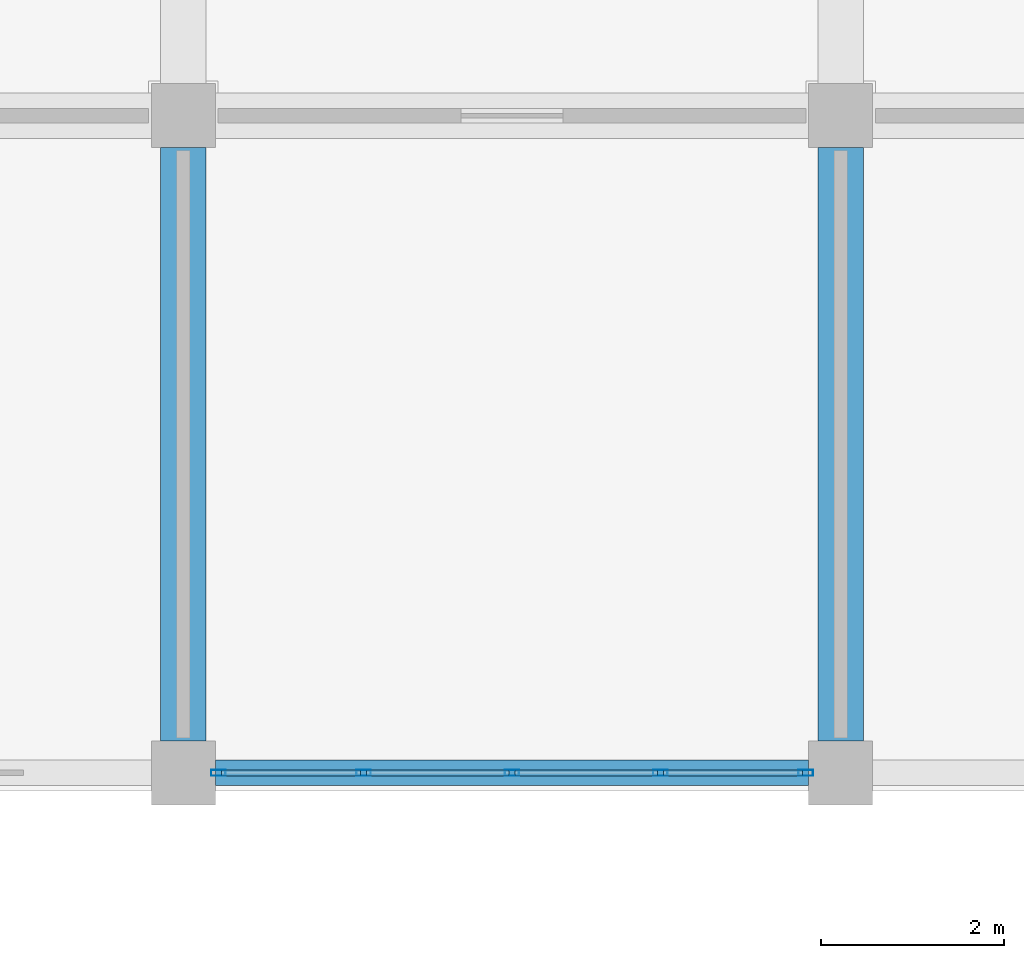
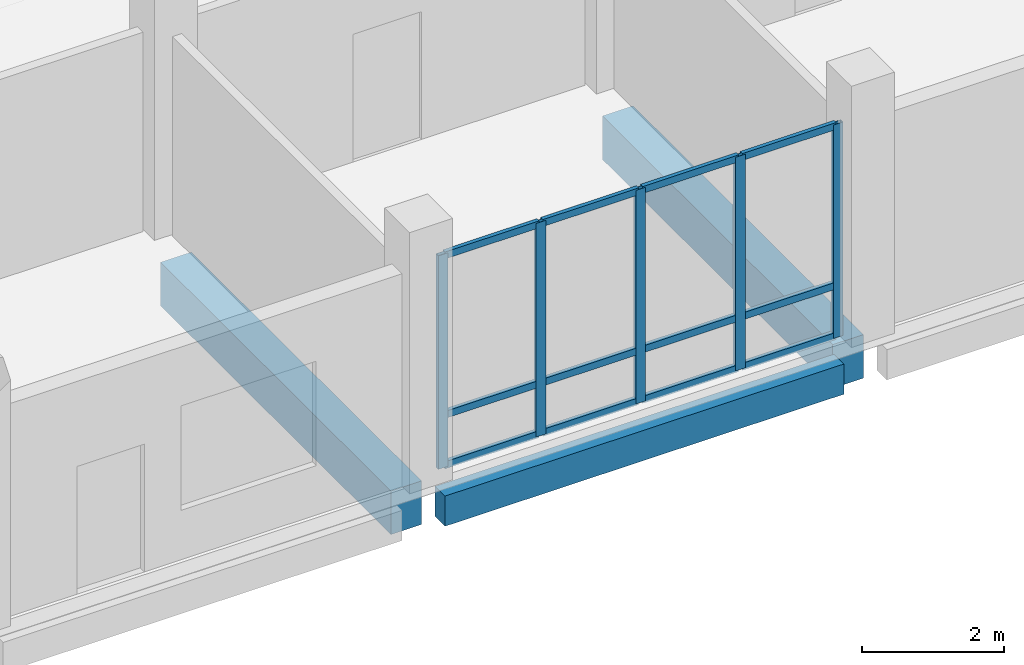
# One storey, part 19 of 139: 17 members, 3 beams, 1 element without a shape of its own.
"""IFC4 building model written with IfcOpenShell, lengths in metres."""

from ifc_helpers import new_model, si_unit, direction, frame, origin, origin_2d, place, context, subcontext, project, spatial, rectangle, hollow_rectangle, extrude, material, material_profile, profile_set, type_object, element, aggregate, save


model = new_model("IFC4")

# Units and contexts
model_context = context("Model", 3, precision=1e-05, world=origin(), true_north=direction((0.0, 1.0)))
body_context = subcontext(model_context, "Body", "Model", "MODEL_VIEW")
ifc_project = project(units=[si_unit("LENGTHUNIT", "METRE"), si_unit("AREAUNIT", "SQUARE_METRE"), si_unit("VOLUMEUNIT", "CUBIC_METRE"), si_unit("PLANEANGLEUNIT", "RADIAN"), si_unit("MASSUNIT", "GRAM", prefix="KILO")], contexts=[model_context])

# Site, building, storey
site_placement = place(None, origin())
site = spatial("IfcSite", under=ifc_project, at=site_placement, CompositionType="ELEMENT")
building_placement = place(site_placement, origin())
building = spatial("IfcBuilding", under=site, at=building_placement, Name="Suanplinth Sawtooth Commons", CompositionType="ELEMENT")
storey_placement = place(building_placement, origin())
storey = spatial("IfcBuildingStorey", under=building, at=storey_placement, Name="L00", CompositionType="ELEMENT", Elevation=0.0)

# Beams
ifc_material_1 = material(Name="Concrete C40/50", Category="concrete")
ifc_material_profile_1 = material_profile(ifc_material_1, rectangle(XDim=0.5, YDim=0.75, at=origin_2d()), Name="RC-GDR 500x750")
ifc_profile_set_1 = profile_set([ifc_material_profile_1], Name="Concrete C40/50")
beam_type_1 = type_object("IfcBeamType", Name="B-03", PredefinedType="USERDEFINED", material=ifc_profile_set_1)
for number, where, z_axis, x_axis, name in (
    (1, (7.199951171875, 0.35009765625, -0.784912109375), (0.0, 1.0, 0.0), (-1.0, 0.0, 0.0), "BMY-L00-D-1-0"),
    (2, (14.39990234375, 0.35009765625, -0.784912109375), (0.0, 1.0, 0.0), (-1.0, 0.0, 0.0), "BMY-L00-D-2-0"),
):
    element("IfcBeam", number, at=place(storey_placement, frame(where, z_axis=z_axis, x_axis=x_axis)), inside=storey, type_object=beam_type_1, Name=name, ObjectType="GIRDER", PredefinedType="USERDEFINED", context=body_context, shape_type="SweptSolid", body=[
        extrude(rectangle(XDim=0.5, YDim=0.75, at=origin_2d()), origin(), (0.0, 0.0, 1.0), 6.5),
    ])
ifc_material_2 = material(Name="Precast concrete C40/50", Category="concrete")
ifc_material_profile_2 = material_profile(ifc_material_2, rectangle(XDim=0.280029296875, YDim=0.52001953125, at=origin_2d()), Name="PC-SP 280x520")
ifc_profile_set_2 = profile_set([ifc_material_profile_2], Name="Precast concrete C40/50")
beam_type_2 = type_object("IfcBeamType", Name="B-08", PredefinedType="SPANDREL", material=ifc_profile_set_2)
beam_placement = place(storey_placement, frame((7.550048828125, 0.0, -0.669921875), z_axis=(1.0, 0.0, 0.0), x_axis=(0.0, 1.0, 0.0)))
element("IfcBeam", 3, at=beam_placement, inside=storey, type_object=beam_type_2, Name="BMX-L00-D-1-0", PredefinedType="SPANDREL", context=body_context, shape_type="SweptSolid", body=[
    extrude(rectangle(XDim=0.280029296875, YDim=0.52001953125, at=origin_2d()), origin(), (0.0, 0.0, 1.0), 6.5),
])

# Curtain wall, members
ifc_material_3 = material(Name="Anodized aluminium and low-E glazing", Category="aluminium")
curtain_wall_type = type_object("IfcCurtainWallType", Name="CW-04", PredefinedType="USERDEFINED", material=ifc_material_3)
curtain_wall_placement = place(storey_placement, origin())
curtain_wall = element("IfcCurtainWall", 4, at=curtain_wall_placement, inside=storey, type_object=curtain_wall_type, Name="Curtain Wall CW-L00-D-S-1", ObjectType="CURTAIN WALL", PredefinedType="USERDEFINED")
ifc_material_4 = material(Name="Anodized aluminium 6063-T6", Category="aluminium")
ifc_material_profile_3 = material_profile(ifc_material_4, hollow_rectangle(XDim=0.06494140625, YDim=0.159912109375, WallThickness=0.00390625, at=origin_2d()), Name="ALU-MUL 65x160")
ifc_profile_set_3 = profile_set([ifc_material_profile_3], Name="Anodized aluminium 6063-T6")
member_type_1 = type_object("IfcMemberType", Name="M-13", PredefinedType="MULLION", material=ifc_profile_set_3)
member_1_placement = place(storey_placement, frame((7.58251953125, 0.0, 0.0), z_axis=(0.0, 0.0, 1.0), x_axis=(0.0, 1.0, 0.0)))
member_1 = element("IfcMember", 5, at=member_1_placement, type_object=member_type_1, Name="CW-04 mullion 1", PredefinedType="MULLION", context=body_context, shape_type="SweptSolid", body=[
    extrude(hollow_rectangle(XDim=0.06494140625, YDim=0.159912109375, WallThickness=0.00390625, at=origin_2d()), origin(), (0.0, 0.0, 1.0), 3.679931640625),
])
member_2_placement = place(storey_placement, frame((9.175048828125, 0.0, 0.0), z_axis=(0.0, 0.0, 1.0), x_axis=(0.0, 1.0, 0.0)))
member_2 = element("IfcMember", 6, at=member_2_placement, type_object=member_type_1, Name="CW-04 mullion 2", PredefinedType="MULLION", context=body_context, shape_type="SweptSolid", body=[
    extrude(hollow_rectangle(XDim=0.06494140625, YDim=0.159912109375, WallThickness=0.00390625, at=origin_2d()), origin(), (0.0, 0.0, 1.0), 3.679931640625),
])
member_3_placement = place(storey_placement, frame((10.800048828125, 0.0, 0.0), z_axis=(0.0, 0.0, 1.0), x_axis=(0.0, 1.0, 0.0)))
member_3 = element("IfcMember", 7, at=member_3_placement, type_object=member_type_1, Name="CW-04 mullion 3", PredefinedType="MULLION", context=body_context, shape_type="SweptSolid", body=[
    extrude(hollow_rectangle(XDim=0.06494140625, YDim=0.159912109375, WallThickness=0.00390625, at=origin_2d()), origin(), (0.0, 0.0, 1.0), 3.679931640625),
])
member_4_placement = place(storey_placement, frame((12.425048828125, 0.0, 0.0), z_axis=(0.0, 0.0, 1.0), x_axis=(0.0, 1.0, 0.0)))
member_4 = element("IfcMember", 8, at=member_4_placement, type_object=member_type_1, Name="CW-04 mullion 4", PredefinedType="MULLION", context=body_context, shape_type="SweptSolid", body=[
    extrude(hollow_rectangle(XDim=0.06494140625, YDim=0.159912109375, WallThickness=0.00390625, at=origin_2d()), origin(), (0.0, 0.0, 1.0), 3.679931640625),
])
member_5_placement = place(storey_placement, frame((14.017578125, 0.0, 0.0), z_axis=(0.0, 0.0, 1.0), x_axis=(0.0, 1.0, 0.0)))
member_5 = element("IfcMember", 9, at=member_5_placement, type_object=member_type_1, Name="CW-04 mullion 5", PredefinedType="MULLION", context=body_context, shape_type="SweptSolid", body=[
    extrude(hollow_rectangle(XDim=0.06494140625, YDim=0.159912109375, WallThickness=0.00390625, at=origin_2d()), origin(), (0.0, 0.0, 1.0), 3.679931640625),
])
ifc_material_profile_4 = material_profile(ifc_material_4, hollow_rectangle(XDim=0.06494140625, YDim=0.1201171875, WallThickness=0.00390625, at=origin_2d()), Name="ALU-TRN 65x120")
ifc_profile_set_4 = profile_set([ifc_material_profile_4], Name="Anodized aluminium 6063-T6")
member_type_2 = type_object("IfcMemberType", Name="M-15", PredefinedType="USERDEFINED", material=ifc_profile_set_4)
member_6_placement = place(storey_placement, frame((7.614990234375, 0.0, 0.032470703125), z_axis=(1.0, 0.0, 0.0), x_axis=(0.0, 1.0, 0.0)))
member_6 = element("IfcMember", 10, at=member_6_placement, type_object=member_type_2, Name="CW-04 transom 1.1", ObjectType="TRANSOM", PredefinedType="USERDEFINED", context=body_context, shape_type="SweptSolid", body=[
    extrude(hollow_rectangle(XDim=0.06494140625, YDim=0.1201171875, WallThickness=0.00390625, at=origin_2d()), origin(), (0.0, 0.0, 1.0), 1.527587890625),
])
member_7_placement = place(storey_placement, frame((7.614990234375, 0.0, 0.89990234375), z_axis=(1.0, 0.0, 0.0), x_axis=(0.0, 1.0, 0.0)))
member_7 = element("IfcMember", 11, at=member_7_placement, type_object=member_type_2, Name="CW-04 transom 1.2", ObjectType="TRANSOM", PredefinedType="USERDEFINED", context=body_context, shape_type="SweptSolid", body=[
    extrude(hollow_rectangle(XDim=0.06494140625, YDim=0.1201171875, WallThickness=0.00390625, at=origin_2d()), origin(), (0.0, 0.0, 1.0), 1.527587890625),
])
member_8_placement = place(storey_placement, frame((7.614990234375, 0.0, 3.6474609375), z_axis=(1.0, 0.0, 0.0), x_axis=(0.0, 1.0, 0.0)))
member_8 = element("IfcMember", 12, at=member_8_placement, type_object=member_type_2, Name="CW-04 transom 1.3", ObjectType="TRANSOM", PredefinedType="USERDEFINED", context=body_context, shape_type="SweptSolid", body=[
    extrude(hollow_rectangle(XDim=0.06494140625, YDim=0.1201171875, WallThickness=0.00390625, at=origin_2d()), origin(), (0.0, 0.0, 1.0), 1.527587890625),
])
member_9_placement = place(storey_placement, frame((9.20751953125, 0.0, 0.032470703125), z_axis=(1.0, 0.0, 0.0), x_axis=(0.0, 1.0, 0.0)))
member_9 = element("IfcMember", 13, at=member_9_placement, type_object=member_type_2, Name="CW-04 transom 2.1", ObjectType="TRANSOM", PredefinedType="USERDEFINED", context=body_context, shape_type="SweptSolid", body=[
    extrude(hollow_rectangle(XDim=0.06494140625, YDim=0.1201171875, WallThickness=0.00390625, at=origin_2d()), origin(), (0.0, 0.0, 1.0), 1.56005859375),
])
member_10_placement = place(storey_placement, frame((9.20751953125, 0.0, 0.89990234375), z_axis=(1.0, 0.0, 0.0), x_axis=(0.0, 1.0, 0.0)))
member_10 = element("IfcMember", 14, at=member_10_placement, type_object=member_type_2, Name="CW-04 transom 2.2", ObjectType="TRANSOM", PredefinedType="USERDEFINED", context=body_context, shape_type="SweptSolid", body=[
    extrude(hollow_rectangle(XDim=0.06494140625, YDim=0.1201171875, WallThickness=0.00390625, at=origin_2d()), origin(), (0.0, 0.0, 1.0), 1.56005859375),
])
member_11_placement = place(storey_placement, frame((9.20751953125, 0.0, 3.6474609375), z_axis=(1.0, 0.0, 0.0), x_axis=(0.0, 1.0, 0.0)))
member_11 = element("IfcMember", 15, at=member_11_placement, type_object=member_type_2, Name="CW-04 transom 2.3", ObjectType="TRANSOM", PredefinedType="USERDEFINED", context=body_context, shape_type="SweptSolid", body=[
    extrude(hollow_rectangle(XDim=0.06494140625, YDim=0.1201171875, WallThickness=0.00390625, at=origin_2d()), origin(), (0.0, 0.0, 1.0), 1.56005859375),
])
member_12_placement = place(storey_placement, frame((10.83251953125, 0.0, 0.032470703125), z_axis=(1.0, 0.0, 0.0), x_axis=(0.0, 1.0, 0.0)))
member_12 = element("IfcMember", 16, at=member_12_placement, type_object=member_type_2, Name="CW-04 transom 3.1", ObjectType="TRANSOM", PredefinedType="USERDEFINED", context=body_context, shape_type="SweptSolid", body=[
    extrude(hollow_rectangle(XDim=0.06494140625, YDim=0.1201171875, WallThickness=0.00390625, at=origin_2d()), origin(), (0.0, 0.0, 1.0), 1.56005859375),
])
member_13_placement = place(storey_placement, frame((10.83251953125, 0.0, 0.89990234375), z_axis=(1.0, 0.0, 0.0), x_axis=(0.0, 1.0, 0.0)))
member_13 = element("IfcMember", 17, at=member_13_placement, type_object=member_type_2, Name="CW-04 transom 3.2", ObjectType="TRANSOM", PredefinedType="USERDEFINED", context=body_context, shape_type="SweptSolid", body=[
    extrude(hollow_rectangle(XDim=0.06494140625, YDim=0.1201171875, WallThickness=0.00390625, at=origin_2d()), origin(), (0.0, 0.0, 1.0), 1.56005859375),
])
member_14_placement = place(storey_placement, frame((10.83251953125, 0.0, 3.6474609375), z_axis=(1.0, 0.0, 0.0), x_axis=(0.0, 1.0, 0.0)))
member_14 = element("IfcMember", 18, at=member_14_placement, type_object=member_type_2, Name="CW-04 transom 3.3", ObjectType="TRANSOM", PredefinedType="USERDEFINED", context=body_context, shape_type="SweptSolid", body=[
    extrude(hollow_rectangle(XDim=0.06494140625, YDim=0.1201171875, WallThickness=0.00390625, at=origin_2d()), origin(), (0.0, 0.0, 1.0), 1.56005859375),
])
member_15_placement = place(storey_placement, frame((12.45751953125, 0.0, 0.032470703125), z_axis=(1.0, 0.0, 0.0), x_axis=(0.0, 1.0, 0.0)))
member_15 = element("IfcMember", 19, at=member_15_placement, type_object=member_type_2, Name="CW-04 transom 4.1", ObjectType="TRANSOM", PredefinedType="USERDEFINED", context=body_context, shape_type="SweptSolid", body=[
    extrude(hollow_rectangle(XDim=0.06494140625, YDim=0.1201171875, WallThickness=0.00390625, at=origin_2d()), origin(), (0.0, 0.0, 1.0), 1.527587890625),
])
member_16_placement = place(storey_placement, frame((12.45751953125, 0.0, 0.89990234375), z_axis=(1.0, 0.0, 0.0), x_axis=(0.0, 1.0, 0.0)))
member_16 = element("IfcMember", 20, at=member_16_placement, type_object=member_type_2, Name="CW-04 transom 4.2", ObjectType="TRANSOM", PredefinedType="USERDEFINED", context=body_context, shape_type="SweptSolid", body=[
    extrude(hollow_rectangle(XDim=0.06494140625, YDim=0.1201171875, WallThickness=0.00390625, at=origin_2d()), origin(), (0.0, 0.0, 1.0), 1.527587890625),
])
member_17_placement = place(storey_placement, frame((12.45751953125, 0.0, 3.6474609375), z_axis=(1.0, 0.0, 0.0), x_axis=(0.0, 1.0, 0.0)))
member_17 = element("IfcMember", 21, at=member_17_placement, type_object=member_type_2, Name="CW-04 transom 4.3", ObjectType="TRANSOM", PredefinedType="USERDEFINED", context=body_context, shape_type="SweptSolid", body=[
    extrude(hollow_rectangle(XDim=0.06494140625, YDim=0.1201171875, WallThickness=0.00390625, at=origin_2d()), origin(), (0.0, 0.0, 1.0), 1.527587890625),
])
aggregate(curtain_wall, [member_1, member_2, member_3, member_4, member_5, member_6, member_7, member_8, member_9, member_10, member_11, member_12, member_13, member_14, member_15, member_16, member_17])

save(model, "model.ifc")
